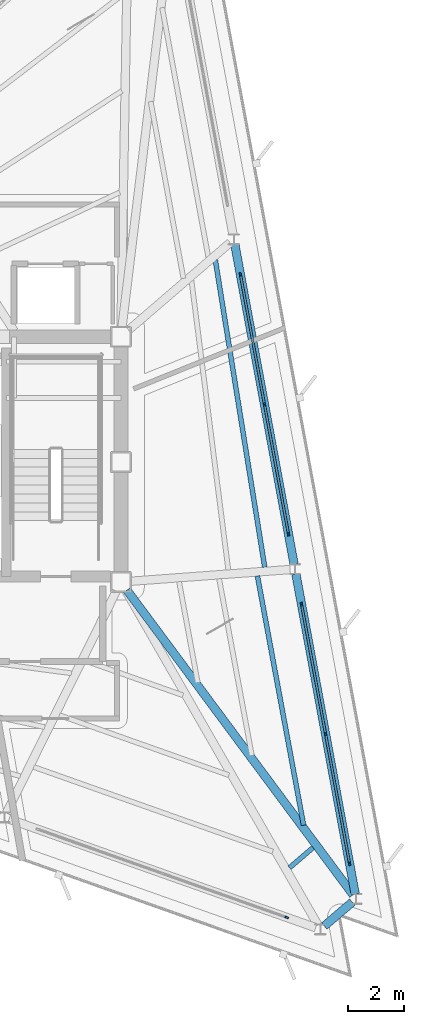
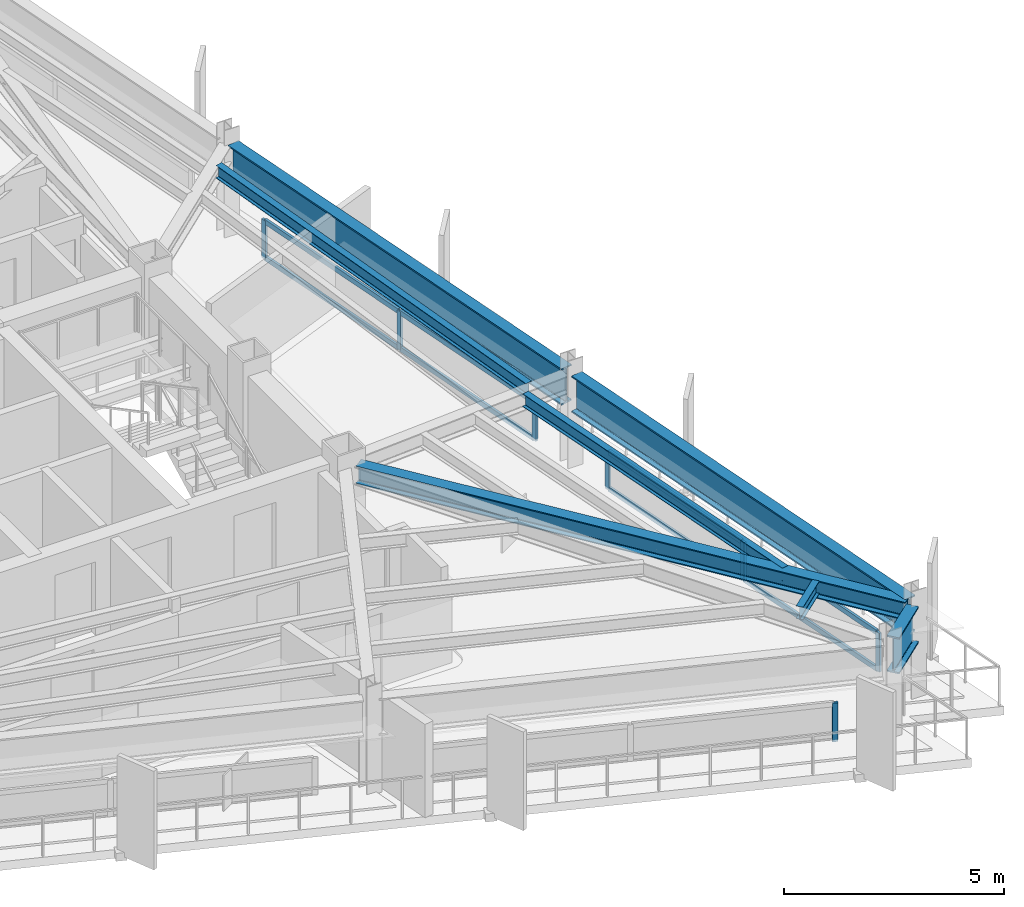
# One storey, part 6 of 14: 15 members, 7 beams, 3 elements without a shape of their own.
"""IFC4 building model written with IfcOpenShell, lengths in metres."""

from ifc_helpers import new_model, si_unit, direction, frame, origin, origin_2d, place, context, subcontext, project, spatial, rectangle, i_section, extrude, material, layer, layer_set, material_profile, profile_set, type_object, element, aggregate, save


model = new_model("IFC4")

# Units and contexts
model_context = context("Model", 3, precision=1e-05, world=origin(), true_north=direction((0.0, 1.0)))
body_context = subcontext(model_context, "Body", "Model", "MODEL_VIEW")
ifc_project = project(units=[si_unit("LENGTHUNIT", "METRE"), si_unit("AREAUNIT", "SQUARE_METRE"), si_unit("VOLUMEUNIT", "CUBIC_METRE"), si_unit("PLANEANGLEUNIT", "RADIAN"), si_unit("MASSUNIT", "GRAM", prefix="KILO")], contexts=[model_context])

# Site, building, storey
site_placement = place(None, origin())
site = spatial("IfcSite", under=ifc_project, at=site_placement, CompositionType="ELEMENT")
building_placement = place(site_placement, origin())
building = spatial("IfcBuilding", under=site, at=building_placement, Name="Rocaltana Carrier Exchange", CompositionType="ELEMENT")
storey_placement = place(building_placement, frame((0.0, 0.0, 190.56005859375)))
storey = spatial("IfcBuildingStorey", under=building, at=storey_placement, Name="L60", CompositionType="ELEMENT", Elevation=190.56005859375)

# Curtain wall, members
ifc_material_1 = material(Name="Aluminium 6063-T6", Category="aluminium")
ifc_layer = layer(ifc_material_1, 0.135009765625)
ifc_layer_set = layer_set([ifc_layer], Name="Aluminium 6063-T6")
curtain_wall_type = type_object("IfcCurtainWallType", Name="Upper-Mid Acoustic Curtain Wall CW-04", PredefinedType="NOTDEFINED", material=ifc_layer_set)
curtain_wall_1_placement = place(storey_placement, origin())
curtain_wall_1 = element("IfcCurtainWall", 1, at=curtain_wall_1_placement, inside=storey, type_object=curtain_wall_type, Name="L60 CW-04 Run CW-L60-F1S1", PredefinedType="NOTDEFINED")
ifc_material_2 = material(Name="Aluminium 6063-T6", Category="aluminium")
ifc_material_profile_1 = material_profile(ifc_material_2, rectangle(XDim=0.06494140625, YDim=0.135009765625, at=origin_2d()), Name="AL-65X135")
ifc_profile_set_1 = profile_set([ifc_material_profile_1], Name="Aluminium 6063-T6")
member_type_1 = type_object("IfcMemberType", Name="CW-04 Mullion AL-65X135", PredefinedType="MULLION", material=ifc_profile_set_1)
member_1_placement = place(storey_placement, frame((14.2587890625, -14.410400390625, 0.0), z_axis=(0.0, 0.0, 1.0), x_axis=(-0.98325514449, -0.182234247149, 0.0)))
member_1 = element("IfcMember", 2, at=member_1_placement, type_object=member_type_1, Name="CW-04 mullion 1", PredefinedType="MULLION", context=body_context, shape_type="SweptSolid", body=[
    extrude(rectangle(XDim=0.06494140625, YDim=0.135009765625, at=origin_2d()), origin(), (0.0, 0.0, 1.0), 1.077880859375),
])
member_2_placement = place(storey_placement, frame((13.39599609375, -9.75537109375, 0.0), z_axis=(0.0, 0.0, 1.0), x_axis=(-0.98325514449, -0.182234247149, 0.0)))
member_2 = element("IfcMember", 3, at=member_2_placement, type_object=member_type_1, Name="CW-04 mullion 2", PredefinedType="MULLION", context=body_context, shape_type="SweptSolid", body=[
    extrude(rectangle(XDim=0.06494140625, YDim=0.135009765625, at=origin_2d()), origin(), (0.0, 0.0, 1.0), 1.077880859375),
])
member_3_placement = place(storey_placement, frame((12.533203125, -5.1005859375, 0.0), z_axis=(0.0, 0.0, 1.0), x_axis=(-0.98325514449, -0.182234247149, 0.0)))
member_3 = element("IfcMember", 4, at=member_3_placement, type_object=member_type_1, Name="CW-04 mullion 3", PredefinedType="MULLION", context=body_context, shape_type="SweptSolid", body=[
    extrude(rectangle(XDim=0.06494140625, YDim=0.135009765625, at=origin_2d()), origin(), (0.0, 0.0, 1.0), 1.077880859375),
])

curtain_wall_2_placement = place(storey_placement, origin())
curtain_wall_2 = element("IfcCurtainWall", 5, at=curtain_wall_2_placement, inside=storey, type_object=curtain_wall_type, Name="L60 CW-04 Run CW-L60-F1S2", PredefinedType="NOTDEFINED")
member_4_placement = place(storey_placement, frame((12.06591796875, -2.578369140625, 0.0), z_axis=(0.0, 0.0, 1.0), x_axis=(-0.983254796134, -0.182236126712, 0.0)))
member_4 = element("IfcMember", 6, at=member_4_placement, type_object=member_type_1, Name="CW-04 mullion 1", PredefinedType="MULLION", context=body_context, shape_type="SweptSolid", body=[
    extrude(rectangle(XDim=0.06494140625, YDim=0.135009765625, at=origin_2d()), origin(), (0.0, 0.0, 1.0), 1.077880859375),
])
member_5_placement = place(storey_placement, frame((11.203125, 2.076416015625, 0.0), z_axis=(0.0, 0.0, 1.0), x_axis=(-0.983254796134, -0.182236126712, 0.0)))
member_5 = element("IfcMember", 7, at=member_5_placement, type_object=member_type_1, Name="CW-04 mullion 2", PredefinedType="MULLION", context=body_context, shape_type="SweptSolid", body=[
    extrude(rectangle(XDim=0.06494140625, YDim=0.135009765625, at=origin_2d()), origin(), (0.0, 0.0, 1.0), 1.077880859375),
])
member_6_placement = place(storey_placement, frame((10.34033203125, 6.731201171875, 0.0), z_axis=(0.0, 0.0, 1.0), x_axis=(-0.983254796134, -0.182236126712, 0.0)))
member_6 = element("IfcMember", 8, at=member_6_placement, type_object=member_type_1, Name="CW-04 mullion 3", PredefinedType="MULLION", context=body_context, shape_type="SweptSolid", body=[
    extrude(rectangle(XDim=0.06494140625, YDim=0.135009765625, at=origin_2d()), origin(), (0.0, 0.0, 1.0), 1.077880859375),
])

# Curtain wall, member
curtain_wall_3_placement = place(storey_placement, origin())
curtain_wall_3 = element("IfcCurtainWall", 9, at=curtain_wall_3_placement, inside=storey, type_object=curtain_wall_type, Name="L60 CW-04 Run CW-L60-F3S3", PredefinedType="NOTDEFINED")
member_7_placement = place(storey_placement, frame((12.00244140625, -16.33740234375, 0.0), z_axis=(0.0, 0.0, 1.0), x_axis=(0.333798791936, 0.942644347833, 0.0)))
member_7 = element("IfcMember", 10, at=member_7_placement, type_object=member_type_1, Name="CW-04 mullion 3", PredefinedType="MULLION", context=body_context, shape_type="SweptSolid", body=[
    extrude(rectangle(XDim=0.06494140625, YDim=0.135009765625, at=origin_2d()), origin(), (0.0, 0.0, 1.0), 1.077880859375),
])
aggregate(curtain_wall_3, [member_7])

# Member
ifc_material_3 = material(Name="Aluminium 6063-T6", Category="aluminium")
ifc_material_profile_2 = material_profile(ifc_material_3, rectangle(XDim=0.06494140625, YDim=0.135009765625, at=origin_2d()), Name="AL-65X135")
ifc_profile_set_2 = profile_set([ifc_material_profile_2], Name="Aluminium 6063-T6")
member_type_2 = type_object("IfcMemberType", Name="CW-04 Transom AL-65X135", PredefinedType="USERDEFINED", material=ifc_profile_set_2)
member_8_placement = place(storey_placement, frame((14.2529296875, -14.37841796875, 0.032470703125), z_axis=(-0.18227087305, 0.983248355624, 0.0), x_axis=(-0.983248355624, -0.18227087305, 0.0)))
member_8 = element("IfcMember", 11, at=member_8_placement, type_object=member_type_2, Name="CW-04 transom 1.1", ObjectType="TRANSOM", PredefinedType="USERDEFINED", context=body_context, shape_type="SweptSolid", body=[
    extrude(rectangle(XDim=0.06494140625, YDim=0.135009765625, at=origin_2d()), origin(), (0.0, 0.0, 1.0), 4.669189453125),
])

member_9_placement = place(storey_placement, frame((14.2529296875, -14.37841796875, 1.04541015625), z_axis=(-0.18227087305, 0.983248355624, 0.0), x_axis=(-0.983248355624, -0.18227087305, 0.0)))
member_9 = element("IfcMember", 12, at=member_9_placement, type_object=member_type_2, Name="CW-04 transom 1.2", ObjectType="TRANSOM", PredefinedType="USERDEFINED", context=body_context, shape_type="SweptSolid", body=[
    extrude(rectangle(XDim=0.06494140625, YDim=0.135009765625, at=origin_2d()), origin(), (0.0, 0.0, 1.0), 4.669189453125),
])

member_10_placement = place(storey_placement, frame((13.39013671875, -9.723388671875, 0.032470703125), z_axis=(-0.182229691605, 0.983255988793, 0.0), x_axis=(-0.983255988793, -0.182229691605, 0.0)))
member_10 = element("IfcMember", 13, at=member_10_placement, type_object=member_type_2, Name="CW-04 transom 2.1", ObjectType="TRANSOM", PredefinedType="USERDEFINED", context=body_context, shape_type="SweptSolid", body=[
    extrude(rectangle(XDim=0.06494140625, YDim=0.135009765625, at=origin_2d()), origin(), (0.0, 0.0, 1.0), 4.6689453125),
])

member_11_placement = place(storey_placement, frame((13.39013671875, -9.723388671875, 1.04541015625), z_axis=(-0.182229691605, 0.983255988793, 0.0), x_axis=(-0.983255988793, -0.182229691605, 0.0)))
member_11 = element("IfcMember", 14, at=member_11_placement, type_object=member_type_2, Name="CW-04 transom 2.2", ObjectType="TRANSOM", PredefinedType="USERDEFINED", context=body_context, shape_type="SweptSolid", body=[
    extrude(rectangle(XDim=0.06494140625, YDim=0.135009765625, at=origin_2d()), origin(), (0.0, 0.0, 1.0), 4.6689453125),
])

aggregate(curtain_wall_1, [member_1, member_2, member_3, member_8, member_9, member_10, member_11])

member_12_placement = place(storey_placement, frame((12.06005859375, -2.54638671875, 0.032470703125), z_axis=(-0.182280244188, 0.983246618392, 0.0), x_axis=(-0.983246618392, -0.182280244188, 0.0)))
member_12 = element("IfcMember", 15, at=member_12_placement, type_object=member_type_2, Name="CW-04 transom 1.1", ObjectType="TRANSOM", PredefinedType="USERDEFINED", context=body_context, shape_type="SweptSolid", body=[
    extrude(rectangle(XDim=0.06494140625, YDim=0.135009765625, at=origin_2d()), origin(), (0.0, 0.0, 1.0), 4.6689453125),
])

member_13_placement = place(storey_placement, frame((12.06005859375, -2.54638671875, 1.04541015625), z_axis=(-0.182280244188, 0.983246618392, 0.0), x_axis=(-0.983246618392, -0.182280244188, 0.0)))
member_13 = element("IfcMember", 16, at=member_13_placement, type_object=member_type_2, Name="CW-04 transom 1.2", ObjectType="TRANSOM", PredefinedType="USERDEFINED", context=body_context, shape_type="SweptSolid", body=[
    extrude(rectangle(XDim=0.06494140625, YDim=0.135009765625, at=origin_2d()), origin(), (0.0, 0.0, 1.0), 4.6689453125),
])

member_14_placement = place(storey_placement, frame((11.197265625, 2.1083984375, 0.032470703125), z_axis=(-0.182229691605, 0.983255988793, 0.0), x_axis=(-0.983255988793, -0.182229691605, 0.0)))
member_14 = element("IfcMember", 17, at=member_14_placement, type_object=member_type_2, Name="CW-04 transom 2.1", ObjectType="TRANSOM", PredefinedType="USERDEFINED", context=body_context, shape_type="SweptSolid", body=[
    extrude(rectangle(XDim=0.06494140625, YDim=0.135009765625, at=origin_2d()), origin(), (0.0, 0.0, 1.0), 4.6689453125),
])

member_15_placement = place(storey_placement, frame((11.197265625, 2.1083984375, 1.04541015625), z_axis=(-0.182229691605, 0.983255988793, 0.0), x_axis=(-0.983255988793, -0.182229691605, 0.0)))
member_15 = element("IfcMember", 18, at=member_15_placement, type_object=member_type_2, Name="CW-04 transom 2.2", ObjectType="TRANSOM", PredefinedType="USERDEFINED", context=body_context, shape_type="SweptSolid", body=[
    extrude(rectangle(XDim=0.06494140625, YDim=0.135009765625, at=origin_2d()), origin(), (0.0, 0.0, 1.0), 4.6689453125),
])

aggregate(curtain_wall_2, [member_4, member_5, member_6, member_12, member_13, member_14, member_15])

# Beams
ifc_material_4 = material(Name="Steel S355", Category="steel")
ifc_material_profile_3 = material_profile(ifc_material_4, i_section(OverallWidth=0.172119140625, OverallDepth=0.35791015625, WebThickness=0.0078125, FlangeThickness=0.01318359375, FilletRadius=0.011962890625, at=origin_2d()), Name="W14X38")
ifc_profile_set_3 = profile_set([ifc_material_profile_3], Name="Steel S355")
beam_type_1 = type_object("IfcBeamType", Name="Floor Joist W14X38", PredefinedType="JOIST", material=ifc_profile_set_3)
beam_1_placement = place(storey_placement, frame((12.60888671875, -13.028076171875, 2.43896484375), z_axis=(-0.182235319361, 0.983254945768, 0.0), x_axis=(-0.983254945768, -0.182235319361, 0.0)))
element("IfcBeam", 19, at=beam_1_placement, inside=storey, type_object=beam_type_1, Name="FJ-L60-01-3", PredefinedType="JOIST", context=body_context, shape_type="SweptSolid", body=[
    extrude(i_section(OverallWidth=0.172119140625, OverallDepth=0.35791015625, WebThickness=0.0078125, FlangeThickness=0.01318359375, FilletRadius=0.011962890625, at=origin_2d()), origin(), (0.0, 0.0, 1.0), 9.097900390625),
])
beam_2_placement = place(storey_placement, frame((11.21435546875, -3.775634765625, 2.43896484375), z_axis=(-0.158801706123, 0.987310497327, 0.0), x_axis=(-0.987310497327, -0.158801706123, 0.0)))
element("IfcBeam", 20, at=beam_2_placement, inside=storey, type_object=beam_type_1, Name="FJ-L60-02-3", PredefinedType="JOIST", context=body_context, shape_type="SweptSolid", body=[
    extrude(i_section(OverallWidth=0.172119140625, OverallDepth=0.35791015625, WebThickness=0.0078125, FlangeThickness=0.01318359375, FilletRadius=0.011962890625, at=origin_2d()), origin(), (0.0, 0.0, 1.0), 11.173828125),
])
beam_3_placement = place(storey_placement, frame((12.103515625, -14.552978515625, 2.43896484375), z_axis=(0.760342005867, 0.649522928089, 0.0), x_axis=(-0.649522928089, 0.760342005867, 0.0)))
element("IfcBeam", 21, at=beam_3_placement, inside=storey, type_object=beam_type_1, Name="FJ-L60-12-3", PredefinedType="JOIST", context=body_context, shape_type="SweptSolid", body=[
    extrude(i_section(OverallWidth=0.172119140625, OverallDepth=0.35791015625, WebThickness=0.0078125, FlangeThickness=0.01318359375, FilletRadius=0.011962890625, at=origin_2d()), origin(), (0.0, 0.0, 1.0), 1.1103515625),
])
ifc_material_5 = material(Name="Steel S460", Category="steel")
ifc_material_profile_4 = material_profile(ifc_material_5, i_section(OverallWidth=0.302001953125, OverallDepth=1.008056640625, WebThickness=0.02099609375, FlangeThickness=0.0400390625, FilletRadius=0.030029296875, at=origin_2d()), Name="HEM1000")
ifc_profile_set_4 = profile_set([ifc_material_profile_4], Name="Steel S460")
beam_type_2 = type_object("IfcBeamType", Name="Transfer Ring Girder HEM1000", PredefinedType="USERDEFINED", material=ifc_profile_set_4)
beam_4_placement = place(storey_placement, frame((14.459716796875, -15.494873046875, 2.114013671875), z_axis=(-0.182233789238, 0.983255229358, 0.0), x_axis=(-0.983255229358, -0.182233789238, 0.0)))
element("IfcBeam", 22, at=beam_4_placement, inside=storey, type_object=beam_type_2, Name="SP-L60-01", ObjectType="TRANSFER GIRDER", PredefinedType="USERDEFINED", context=body_context, shape_type="SweptSolid", body=[
    extrude(i_section(OverallWidth=0.302001953125, OverallDepth=1.008056640625, WebThickness=0.02099609375, FlangeThickness=0.0400390625, FilletRadius=0.030029296875, at=origin_2d()), origin(), (0.0, 0.0, 1.0), 11.67431640625),
])
beam_5_placement = place(storey_placement, frame((12.266845703125, -3.6630859375, 2.114013671875), z_axis=(-0.182230042117, 0.983255923832, 0.0), x_axis=(-0.983255923832, -0.182230042117, 0.0)))
element("IfcBeam", 23, at=beam_5_placement, inside=storey, type_object=beam_type_2, Name="SP-L60-02", ObjectType="TRANSFER GIRDER", PredefinedType="USERDEFINED", context=body_context, shape_type="SweptSolid", body=[
    extrude(i_section(OverallWidth=0.302001953125, OverallDepth=1.008056640625, WebThickness=0.02099609375, FlangeThickness=0.0400390625, FilletRadius=0.030029296875, at=origin_2d()), origin(), (0.0, 0.0, 1.0), 11.674560546875),
])
beam_6_placement = place(storey_placement, frame((13.347900390625, -16.64892578125, 2.114013671875), z_axis=(0.760451362901, 0.649394891158, 0.0), x_axis=(-0.649394891158, 0.760451362901, 0.0)))
element("IfcBeam", 24, at=beam_6_placement, inside=storey, type_object=beam_type_2, Name="SP-L60-12", ObjectType="TRANSFER GIRDER", PredefinedType="USERDEFINED", context=body_context, shape_type="SweptSolid", body=[
    extrude(i_section(OverallWidth=0.302001953125, OverallDepth=1.008056640625, WebThickness=0.02099609375, FlangeThickness=0.0400390625, FilletRadius=0.030029296875, at=origin_2d()), origin(), (0.0, 0.0, 1.0), 1.32568359375),
])
ifc_material_6 = material(Name="Steel S355", Category="steel")
ifc_material_profile_5 = material_profile(ifc_material_6, i_section(OverallWidth=0.300048828125, OverallDepth=0.5, WebThickness=0.014404296875, FlangeThickness=0.028076171875, FilletRadius=0.027099609375, at=origin_2d()), Name="HEB500")
ifc_profile_set_5 = profile_set([ifc_material_profile_5], Name="Steel S355")
beam_type_3 = type_object("IfcBeamType", Name="Upper Radial Girder HEB500", PredefinedType="BEAM", material=ifc_profile_set_5)
beam_7_placement = place(storey_placement, frame((6.268798828125, -4.5947265625, 2.367919921875), z_axis=(0.596102800415, -0.802908121355, 0.0), x_axis=(0.802908121355, 0.596102800415, 0.0)))
element("IfcBeam", 25, at=beam_7_placement, inside=storey, type_object=beam_type_3, Name="RG-L60-01", PredefinedType="BEAM", context=body_context, shape_type="SweptSolid", body=[
    extrude(i_section(OverallWidth=0.300048828125, OverallDepth=0.5, WebThickness=0.014404296875, FlangeThickness=0.028076171875, FilletRadius=0.027099609375, at=origin_2d()), origin(), (0.0, 0.0, 1.0), 13.6162109375),
])

save(model, "model.ifc")
